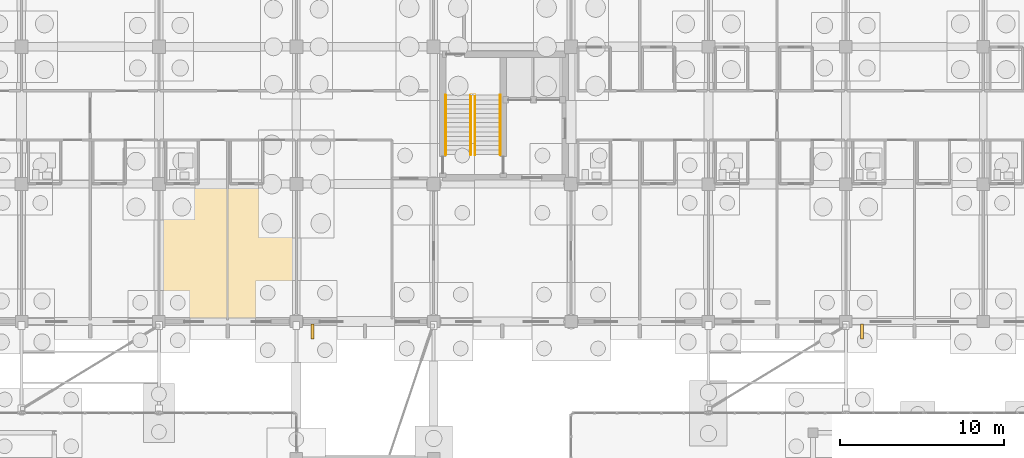
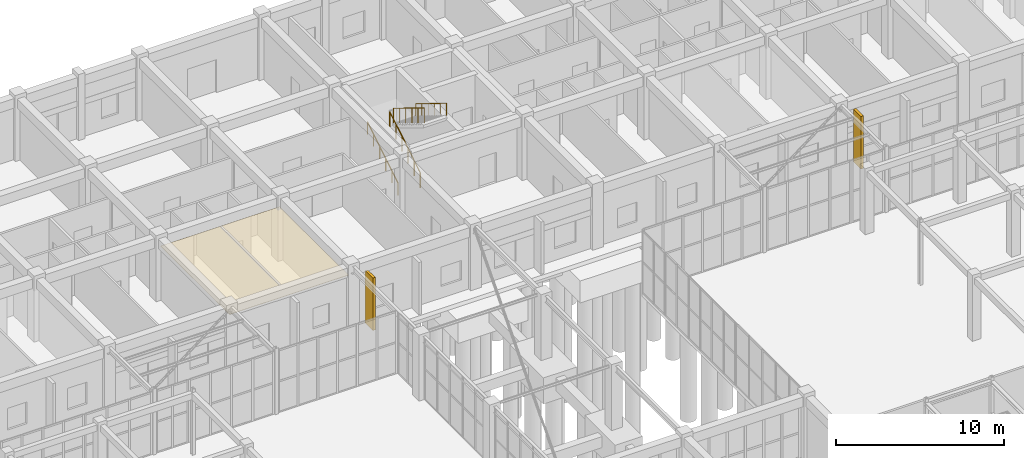
# One storey, part 185 of 192: 4 railings, 2 shading devices, 1 covering.
"""IFC4 building model written with IfcOpenShell, lengths in metres."""

from ifc_helpers import new_model, si_unit, direction, frame, origin, origin_2d, place, context, subcontext, project, spatial, polyline, rectangle, circle, outline, extrude, material, layer, layer_set, type_object, element, save


model = new_model("IFC4")

# Units and contexts
model_context = context("Model", 3, precision=1e-05, world=origin(), true_north=direction((0.0, 1.0)))
body_context = subcontext(model_context, "Body", "Model", "MODEL_VIEW")
ifc_project = project(units=[si_unit("LENGTHUNIT", "METRE"), si_unit("AREAUNIT", "SQUARE_METRE"), si_unit("VOLUMEUNIT", "CUBIC_METRE"), si_unit("PLANEANGLEUNIT", "RADIAN"), si_unit("MASSUNIT", "GRAM", prefix="KILO")], contexts=[model_context])

# Site, building, storey
site_placement = place(None, origin())
site = spatial("IfcSite", under=ifc_project, at=site_placement, CompositionType="ELEMENT")
building_placement = place(site_placement, origin())
building = spatial("IfcBuilding", under=site, at=building_placement, Name="Trelvath General Hospital", CompositionType="ELEMENT")
storey_placement = place(building_placement, origin())
storey = spatial("IfcBuildingStorey", under=building, at=storey_placement, Name="L00", CompositionType="ELEMENT", Elevation=0.0)

# Shading devices
ifc_material_1 = material(Name="Precast concrete C40/50", Category="concrete")
shading_device_type = type_object("IfcShadingDeviceType", Name="BriseSoleil PrecastFin900", PredefinedType="JALOUSIE", material=ifc_material_1)
for number, where, z_axis, x_axis, name in (
    (1, (76.5869140625, 91.794921875, 0.0), (0.0, 0.0, 1.0), (0.0, -1.0, 0.0), "Solar Brise-Soleil Screen L00-9"),
    (2, (110.18701171875, 91.794921875, 0.0), (0.0, 0.0, 1.0), (0.0, -1.0, 0.0), "Solar Brise-Soleil Screen L00-12"),
):
    element("IfcShadingDevice", number, at=place(storey_placement, frame(where, z_axis=z_axis, x_axis=x_axis)), inside=storey, type_object=shading_device_type, Name=name, PredefinedType="JALOUSIE", context=body_context, shape_type="SweptSolid", body=[
        extrude(rectangle(XDim=0.89990234375, YDim=0.179931640625, at=origin_2d()), origin(), (0.0, 0.0, 1.0), 3.820068359375),
    ])

# Covering
ifc_material_2 = material(Name="Hygienic acoustic ceiling tile")
ifc_layer = layer(ifc_material_2, 0.02490234375)
ifc_layer_set = layer_set([ifc_layer], Name="Hygienic acoustic ceiling tile")
covering_type = type_object("IfcCoveringType", Name="Ceiling ClinicalAcoustic", PredefinedType="CEILING", material=ifc_layer_set)
covering_placement = place(storey_placement, frame((0.0, 0.0, 3.679931640625)))
element("IfcCovering", 3, at=covering_placement, inside=storey, type_object=covering_type, Name="Clinical Acoustic Ceiling L00-10", PredefinedType="CEILING", context=body_context, shape_type="SweptSolid", body=[
    extrude(outline(polyline([(67.300048828125, 92.5), (75.5, 92.5), (75.5, 100.719970703125), (67.300048828125, 100.719970703125), (67.300048828125, 92.5)])), origin(), (0.0, 0.0, 1.0), 0.025146484375),
])

# Railings
ifc_material_3 = material(Name="Architectural painted steel", Category="steel")
railing_type_1 = type_object("IfcRailingType", Name="Guardrail Terrace1150", PredefinedType="GUARDRAIL", material=ifc_material_3)
railing_1_placement = place(storey_placement, frame((86.530029296875, 106.239990234375, 2.5712890625)))
element("IfcRailing", 4, at=railing_1_placement, inside=storey, type_object=railing_type_1, Name="Stair Rail ST2 L00 F2 L 50", PredefinedType="GUARDRAIL", context=body_context, shape_type="SweptSolid", body=[
    extrude(circle(Radius=0.02392578125, at=origin_2d()), frame((0.0, 0.0, 1.076171875), z_axis=(0.0, -0.852824790078, 0.522197163366), x_axis=(1.0, 0.0, 0.0)), (0.0, 0.0, 1.0), 4.26806640625),
    extrude(circle(Radius=0.02099609375, at=origin_2d()), origin(), (0.0, 0.0, 1.0), 1.050048828125),
    extrude(circle(Radius=0.02099609375, at=origin_2d()), frame((0.0, -0.72802734375, 0.44580078125)), (0.0, 0.0, 1.0), 1.050048828125),
    extrude(circle(Radius=0.02099609375, at=origin_2d()), frame((0.0, -1.4560546875, 0.8916015625)), (0.0, 0.0, 1.0), 1.050048828125),
    extrude(circle(Radius=0.02099609375, at=origin_2d()), frame((0.0, -2.183837890625, 1.337158203125)), (0.0, 0.0, 1.0), 1.050048828125),
    extrude(circle(Radius=0.02099609375, at=origin_2d()), frame((0.0, -2.911865234375, 1.782958984375)), (0.0, 0.0, 1.0), 1.050048828125),
    extrude(circle(Radius=0.02099609375, at=origin_2d()), frame((0.0, -3.639892578125, 2.228759765625)), (0.0, 0.0, 1.0), 1.050048828125),
])
railing_2_placement = place(storey_placement, frame((86.27001953125, 102.60009765625, 0.17138671875)))
element("IfcRailing", 5, at=railing_2_placement, inside=storey, type_object=railing_type_1, Name="Stair Rail ST2 L00 F1 R 51", PredefinedType="GUARDRAIL", context=body_context, shape_type="SweptSolid", body=[
    extrude(circle(Radius=0.02392578125, at=origin_2d()), frame((0.0, 0.0, 1.076171875), z_axis=(0.0, 0.852850264322, 0.5221555579), x_axis=(-1.0, 0.0, 0.0)), (0.0, 0.0, 1.0), 4.267822265625),
    extrude(circle(Radius=0.02099609375, at=origin_2d()), origin(), (0.0, 0.0, 1.0), 1.050048828125),
    extrude(circle(Radius=0.02099609375, at=origin_2d()), frame((0.0, 0.72802734375, 0.44580078125)), (0.0, 0.0, 1.0), 1.050048828125),
    extrude(circle(Radius=0.02099609375, at=origin_2d()), frame((0.0, 1.4560546875, 0.891357421875)), (0.0, 0.0, 1.0), 1.050048828125),
    extrude(circle(Radius=0.02099609375, at=origin_2d()), frame((0.0, 2.183837890625, 1.337158203125)), (0.0, 0.0, 1.0), 1.050048828125),
    extrude(circle(Radius=0.02099609375, at=origin_2d()), frame((0.0, 2.911865234375, 1.78271484375)), (0.0, 0.0, 1.0), 1.050048828125),
    extrude(circle(Radius=0.02099609375, at=origin_2d()), frame((0.0, 3.639892578125, 2.228515625)), (0.0, 0.0, 1.0), 1.050048828125),
])
ifc_material_4 = material(Name="Brushed stainless steel", Category="steel")
railing_type_2 = type_object("IfcRailingType", Name="Handrail Stair900", PredefinedType="HANDRAIL", material=ifc_material_4)
railing_3_placement = place(storey_placement, frame((84.72998046875, 102.60009765625, 0.17138671875)))
element("IfcRailing", 6, at=railing_3_placement, inside=storey, type_object=railing_type_2, Name="Stair Rail ST2 L00 F1 L 49", PredefinedType="HANDRAIL", context=body_context, shape_type="SweptSolid", body=[
    extrude(circle(Radius=0.02392578125, at=origin_2d()), frame((0.0, 0.0, 0.8759765625), z_axis=(0.0, 0.852850264322, 0.5221555579), x_axis=(-1.0, 0.0, 0.0)), (0.0, 0.0, 1.0), 4.267822265625),
    extrude(circle(Radius=0.02099609375, at=origin_2d()), origin(), (0.0, 0.0, 1.0), 0.849853515625),
    extrude(circle(Radius=0.02099609375, at=origin_2d()), frame((0.0, 0.72802734375, 0.44580078125)), (0.0, 0.0, 1.0), 0.849853515625),
    extrude(circle(Radius=0.02099609375, at=origin_2d()), frame((0.0, 1.4560546875, 0.891357421875)), (0.0, 0.0, 1.0), 0.849853515625),
    extrude(circle(Radius=0.02099609375, at=origin_2d()), frame((0.0, 2.183837890625, 1.337158203125)), (0.0, 0.0, 1.0), 0.849853515625),
    extrude(circle(Radius=0.02099609375, at=origin_2d()), frame((0.0, 2.911865234375, 1.78271484375)), (0.0, 0.0, 1.0), 0.849853515625),
    extrude(circle(Radius=0.02099609375, at=origin_2d()), frame((0.0, 3.639892578125, 2.228515625)), (0.0, 0.0, 1.0), 0.849853515625),
])
railing_4_placement = place(storey_placement, frame((88.070068359375, 106.239990234375, 2.5712890625)))
element("IfcRailing", 7, at=railing_4_placement, inside=storey, type_object=railing_type_2, Name="Stair Rail ST2 L00 F2 R 52", PredefinedType="HANDRAIL", context=body_context, shape_type="SweptSolid", body=[
    extrude(circle(Radius=0.02392578125, at=origin_2d()), frame((0.0, 0.0, 0.8759765625), z_axis=(0.0, -0.852824790078, 0.522197163366), x_axis=(1.0, 0.0, 0.0)), (0.0, 0.0, 1.0), 4.26806640625),
    extrude(circle(Radius=0.02099609375, at=origin_2d()), origin(), (0.0, 0.0, 1.0), 0.849853515625),
    extrude(circle(Radius=0.02099609375, at=origin_2d()), frame((0.0, -0.72802734375, 0.44580078125)), (0.0, 0.0, 1.0), 0.849853515625),
    extrude(circle(Radius=0.02099609375, at=origin_2d()), frame((0.0, -1.4560546875, 0.8916015625)), (0.0, 0.0, 1.0), 0.849853515625),
    extrude(circle(Radius=0.02099609375, at=origin_2d()), frame((0.0, -2.183837890625, 1.337158203125)), (0.0, 0.0, 1.0), 0.849853515625),
    extrude(circle(Radius=0.02099609375, at=origin_2d()), frame((0.0, -2.911865234375, 1.782958984375)), (0.0, 0.0, 1.0), 0.849853515625),
    extrude(circle(Radius=0.02099609375, at=origin_2d()), frame((0.0, -3.639892578125, 2.228759765625)), (0.0, 0.0, 1.0), 0.849853515625),
])

save(model, "model.ifc")
